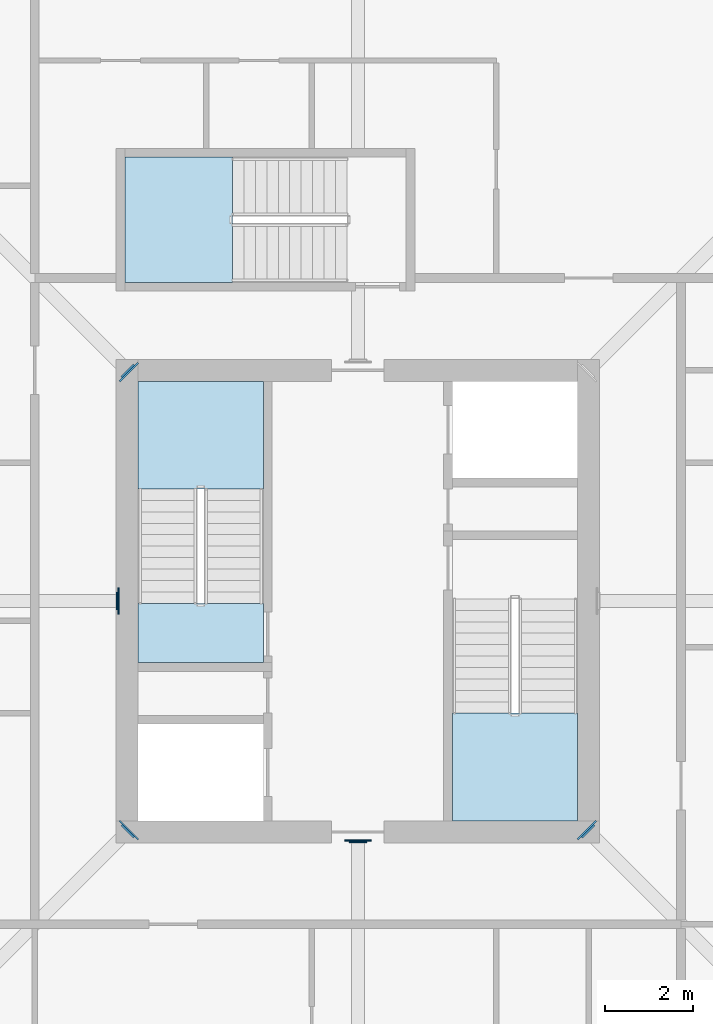
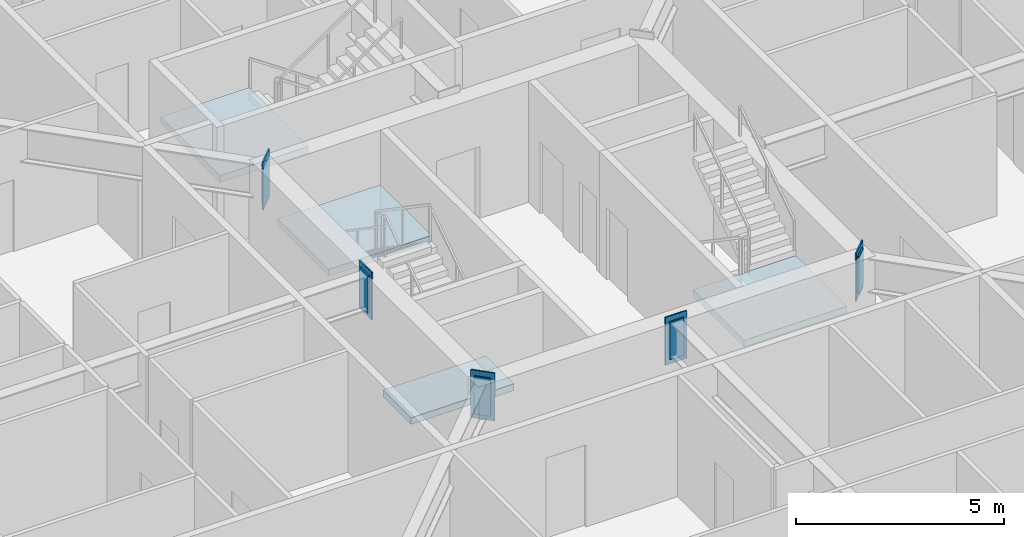
# One storey, part 2 of 11: 10 plates, 4 slabs, 3 elements without a shape of their own.
"""IFC4 building model written with IfcOpenShell, lengths in metres."""

from ifc_helpers import new_model, si_unit, direction, frame, origin, origin_2d, place, context, subcontext, project, spatial, polyline, rectangle, outline, extrude, material, layer, layer_set, type_object, element, aggregate, save


model = new_model("IFC4")

# Units and contexts
model_context = context("Model", 3, precision=1e-05, world=origin(), true_north=direction((0.0, 1.0)))
body_context = subcontext(model_context, "Body", "Model", "MODEL_VIEW")
ifc_project = project(units=[si_unit("LENGTHUNIT", "METRE"), si_unit("AREAUNIT", "SQUARE_METRE"), si_unit("VOLUMEUNIT", "CUBIC_METRE"), si_unit("PLANEANGLEUNIT", "RADIAN"), si_unit("MASSUNIT", "GRAM", prefix="KILO")], contexts=[model_context])

# Site, building, storey
site_placement = place(None, origin())
site = spatial("IfcSite", under=ifc_project, at=site_placement, CompositionType="ELEMENT")
building_placement = place(site_placement, origin())
building = spatial("IfcBuilding", under=site, at=building_placement, Name="Khepri Terraces", CompositionType="ELEMENT")
storey_placement = place(building_placement, frame((0.0, 0.0, 308.39990234375)))
storey = spatial("IfcBuildingStorey", under=building, at=storey_placement, Name="L74", CompositionType="ELEMENT", Elevation=308.39990234375)

# Plates
ifc_material_1 = material(Name="Steel S355", Category="steel")
ifc_layer_1 = layer(ifc_material_1, 0.034912109375, Name="Steel S355", Category="steel")
ifc_layer_set_1 = layer_set([ifc_layer_1], Name="Steel S355")
plate_type_1 = type_object("IfcPlateType", Name="Cast-in plate 1400x600x35", PredefinedType="USERDEFINED", material=ifc_layer_set_1)
for number, where, z_axis, x_axis, name in (
    (1, (0.0, -5.4423828125, 2.35009765625), (0.0, 0.0, 1.0), (0.0, -1.0, 0.0), "CAST-IN PLATE CG-L74-S MID wall A"),
    (2, (-5.4423828125, 0.0, 2.35009765625), (0.0, 0.0, 1.0), (-1.0, 0.0, 0.0), "CAST-IN PLATE CG-L74-W MID wall A"),
    (3, (5.209228515625, -5.209228515625, 2.35009765625), (0.0, 0.0, 1.0), (0.707106781187, -0.707106781187, 0.0), "CAST-IN PLATE CG-L74-ES MID wall A"),
    (4, (-5.209228515625, 5.209228515625, 2.35009765625), (0.0, 0.0, 1.0), (-0.707106781187, 0.707106781187, 0.0), "CAST-IN PLATE CG-L74-WN MID wall A"),
    (5, (-5.209228515625, -5.209228515625, 2.35009765625), (0.0, 0.0, 1.0), (-0.707106781187, -0.707106781187, 0.0), "CAST-IN PLATE CG-L74-WS MID wall A"),
):
    element("IfcPlate", number, at=place(storey_placement, frame(where, z_axis=z_axis, x_axis=x_axis)), inside=storey, type_object=plate_type_1, Name=name, ObjectType="CAST-IN PLATE", PredefinedType="USERDEFINED", context=body_context, shape_type="SweptSolid", body=[
        extrude(rectangle(XDim=0.034912109375, YDim=0.60009765625, at=origin_2d()), origin(), (0.0, 0.0, 1.0), 1.39990234375),
    ])
ifc_layer_2 = layer(ifc_material_1, 0.0400390625, Name="Steel S355", Category="steel")
ifc_layer_set_2 = layer_set([ifc_layer_2], Name="Steel S355")
plate_type_2 = type_object("IfcPlateType", Name="End plate 1100x400x40", PredefinedType="USERDEFINED", material=ifc_layer_set_2)
for number, where, z_axis, x_axis, name in (
    (6, (0.0, -5.47998046875, 2.5), (0.0, 0.0, 1.0), (0.0, -1.0, 0.0), "END PLATE CG-L74-S MID end A"),
    (7, (-5.47998046875, 0.0, 2.5), (0.0, 0.0, 1.0), (-1.0, 0.0, 0.0), "END PLATE CG-L74-W MID end A"),
    (8, (5.23583984375, -5.23583984375, 2.5), (0.0, 0.0, 1.0), (0.707106781187, -0.707106781187, 0.0), "END PLATE CG-L74-ES MID end A"),
    (9, (-5.23583984375, 5.23583984375, 2.5), (0.0, 0.0, 1.0), (-0.707106781187, 0.707106781187, 0.0), "END PLATE CG-L74-WN MID end A"),
    (10, (-5.23583984375, -5.23583984375, 2.5), (0.0, 0.0, 1.0), (-0.707106781187, -0.707106781187, 0.0), "END PLATE CG-L74-WS MID end A"),
):
    element("IfcPlate", number, at=place(storey_placement, frame(where, z_axis=z_axis, x_axis=x_axis)), inside=storey, type_object=plate_type_2, Name=name, ObjectType="END PLATE", PredefinedType="USERDEFINED", context=body_context, shape_type="SweptSolid", body=[
        extrude(rectangle(XDim=0.0400390625, YDim=0.39990234375, at=origin_2d()), origin(), (0.0, 0.0, 1.0), 1.10009765625),
    ])

# Stair, slabs
ifc_material_2 = material(Name="Concrete C40/50", Category="concrete")
stair_type = type_object("IfcStairType", Name="STAIR-RC-22R", PredefinedType="HALF_TURN_STAIR", material=ifc_material_2)
stair_1_placement = place(storey_placement, origin())
stair_1 = element("IfcStair", 11, at=stair_1_placement, inside=storey, type_object=stair_type, Name="L74 Exit Stair ST-1", PredefinedType="HALF_TURN_STAIR")
ifc_layer_3 = layer(ifc_material_2, 0.199951171875, Name="Concrete C40/50", Category="concrete")
ifc_layer_set_3 = layer_set([ifc_layer_3], Name="Concrete C40/50")
slab_type = type_object("IfcSlabType", Name="SLB-CORE-LANDING", PredefinedType="LANDING", material=ifc_layer_set_3)
slab_1_placement = place(storey_placement, frame((0.0, 0.0, -0.199951171875)))
slab_1 = element("IfcSlab", 12, at=slab_1_placement, type_object=slab_type, Name="ST-1 landing 1", PredefinedType="LANDING", context=body_context, shape_type="SweptSolid", body=[
    extrude(outline(polyline([(-2.14990234375, -1.39990234375), (-2.14990234375, -0.050048828125), (-5.0, -0.050048828125), (-5.0, -1.39990234375), (-2.14990234375, -1.39990234375)])), origin(), (0.0, 0.0, 1.0), 0.199951171875),
])
slab_2_placement = place(storey_placement, frame((0.0, 0.0, 1.75)))
slab_2 = element("IfcSlab", 13, at=slab_2_placement, type_object=slab_type, Name="ST-1 landing 2", PredefinedType="LANDING", context=body_context, shape_type="SweptSolid", body=[
    extrude(outline(polyline([(-2.14990234375, 2.550048828125), (-2.14990234375, 5.0), (-5.0, 5.0), (-5.0, 2.550048828125), (-2.14990234375, 2.550048828125)])), origin(), (0.0, 0.0, 1.0), 0.2001953125),
])
aggregate(stair_1, [slab_1, slab_2])

# Stair, slab
stair_2_placement = place(storey_placement, origin())
stair_2 = element("IfcStair", 14, at=stair_2_placement, inside=storey, type_object=stair_type, Name="L74 Exit Stair ST-2", PredefinedType="HALF_TURN_STAIR")
slab_3_placement = place(storey_placement, frame((0.0, 0.0, 1.75)))
slab_3 = element("IfcSlab", 15, at=slab_3_placement, type_object=slab_type, Name="ST-2 landing 2", PredefinedType="LANDING", context=body_context, shape_type="SweptSolid", body=[
    extrude(outline(polyline([(2.14990234375, -2.550048828125), (2.14990234375, -5.0), (5.0, -5.0), (5.0, -2.550048828125), (2.14990234375, -2.550048828125)])), origin(), (0.0, 0.0, 1.0), 0.2001953125),
])
aggregate(stair_2, [slab_3])

stair_3_placement = place(storey_placement, origin())
stair_3 = element("IfcStair", 16, at=stair_3_placement, inside=storey, type_object=stair_type, Name="L74 Exit Stair ST-3", PredefinedType="HALF_TURN_STAIR")
slab_4_placement = place(storey_placement, frame((0.0, 0.0, 1.75)))
slab_4 = element("IfcSlab", 17, at=slab_4_placement, type_object=slab_type, Name="ST-3 landing 2", PredefinedType="LANDING", context=body_context, shape_type="SweptSolid", body=[
    extrude(outline(polyline([(-2.85009765625, 10.10009765625), (-5.300048828125, 10.10009765625), (-5.300048828125, 7.25), (-2.85009765625, 7.25), (-2.85009765625, 10.10009765625)])), origin(), (0.0, 0.0, 1.0), 0.2001953125),
])
aggregate(stair_3, [slab_4])

save(model, "model.ifc")
